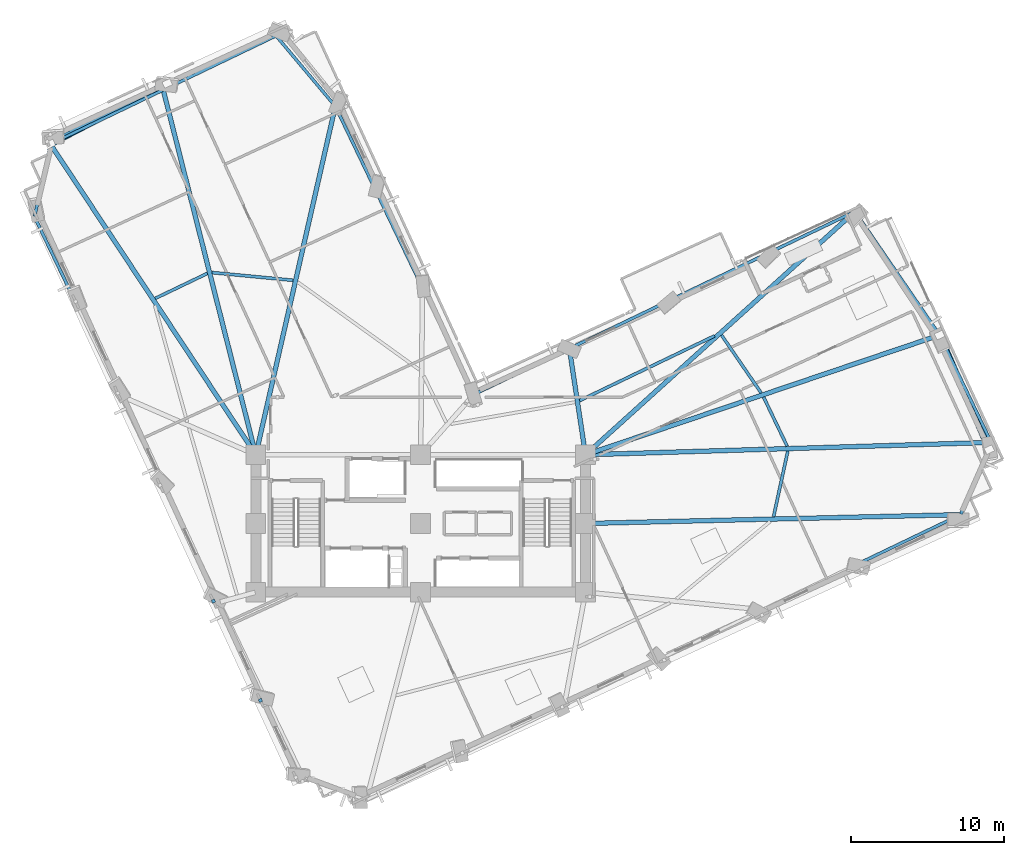
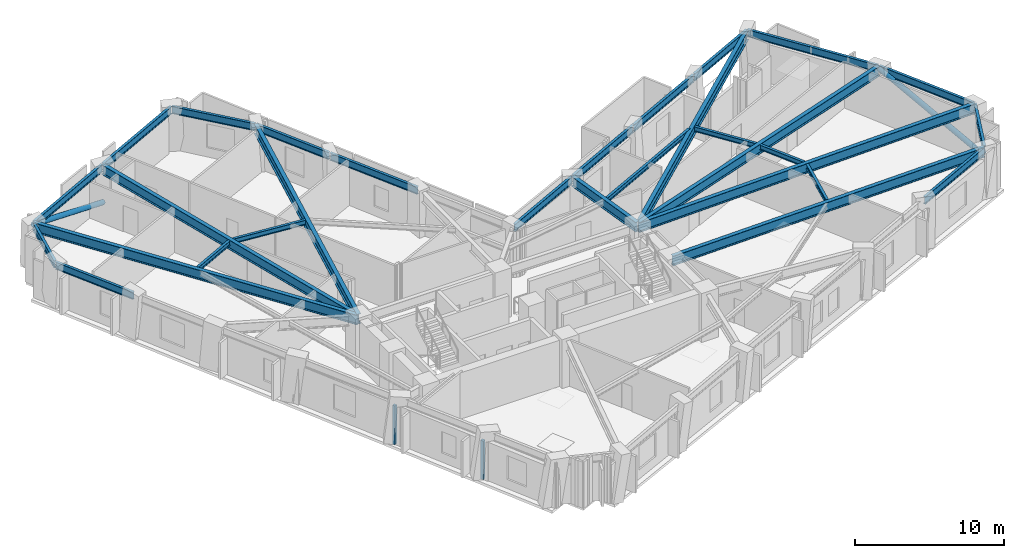
# One storey, part 2 of 16: 29 beams, 2 members, 2 plates.
"""IFC4 building model written with IfcOpenShell, lengths in metres."""

import ifcopenshell
import ifcopenshell.guid

model = None  # the IFC model being written
_history = None  # IfcOwnerHistory: only IFC2X3 demands one
_inside = {}  # id of a spatial element -> (the spatial element, [elements in it])
_under = {}  # id of a project, library or spatial element -> (it, [spatial elements below it])
_declared = {}  # id of a project -> (the project, [libraries it declares])
_typed = {}  # id of a type object -> (the type object, [elements of that type])
_made_of = {}  # id of a material, layer set ... -> (it, [elements and type objects made of it])


def new_model(schema):
    """Start an empty IFC model of exactly this schema.

    Asked for "IFC4X3", IfcOpenShell would pick the latest addendum, in which some entities
    have other attributes; the version numbers below select the first issue.
    IFC2X3 requires an IfcOwnerHistory on every rooted entity: one is made here for all.
    """
    global model, _history
    if schema == "IFC4X3":
        model = ifcopenshell.file(schema_version=(4, 3, 0, 0))
    else:
        model = ifcopenshell.file(schema=schema)
    _inside.clear()
    _under.clear()
    _declared.clear()
    _typed.clear()
    _made_of.clear()
    _history = None
    if model.schema == "IFC2X3":
        org = make("IfcOrganization", Name="unknown")
        user = make(
            "IfcPersonAndOrganization",
            ThePerson=make("IfcPerson", FamilyName="unknown"),
            TheOrganization=org,
        )
        app = make(
            "IfcApplication",
            ApplicationDeveloper=org,
            Version="unknown",
            ApplicationFullName="unknown",
            ApplicationIdentifier="unknown",
        )
        _history = make(
            "IfcOwnerHistory",
            OwningUser=user,
            OwningApplication=app,
            ChangeAction="ADDED",
            CreationDate=0,
        )
    return model


def make(cls, **values):
    """One entity of the class cls with the attributes given. An attribute that is None is left unset."""
    return model.create_entity(
        cls, **{name: value for name, value in values.items() if value is not None}
    )


def rooted(cls, **values):
    """An entity with a GlobalId (a new one), such as an element, a storey or a relation."""
    return make(cls, GlobalId=ifcopenshell.guid.new(), OwnerHistory=_history, **values)


def si_unit(unit_type, name, prefix=None):
    """IfcSIUnit, for example si_unit("LENGTHUNIT", "METRE", prefix="MILLI")."""
    return make("IfcSIUnit", UnitType=unit_type, Prefix=prefix, Name=name)


def assignment(units):
    """IfcUnitAssignment: the units of a project."""
    return None if units is None else make("IfcUnitAssignment", Units=units)


def point(xyz):
    """IfcCartesianPoint."""
    return None if xyz is None else make("IfcCartesianPoint", Coordinates=xyz)


def direction(xyz):
    """IfcDirection."""
    return None if xyz is None else make("IfcDirection", DirectionRatios=xyz)


def frame(location, z_axis=None, x_axis=None):
    """IfcAxis2Placement3D, a coordinate frame: its origin and axes. An axis left out is left unset."""
    return make(
        "IfcAxis2Placement3D",
        Location=point(location),
        Axis=direction(z_axis),
        RefDirection=direction(x_axis),
    )


def frame_2d(location, x_axis=None):
    """IfcAxis2Placement2D, a coordinate frame in the plane: its origin and x axis."""
    return make(
        "IfcAxis2Placement2D", Location=point(location), RefDirection=direction(x_axis)
    )


def origin():
    """The frame at (0, 0, 0) with its axes left unset."""
    return frame((0.0, 0.0, 0.0))


def origin_2d():
    """The frame at (0, 0) in the plane with its x axis left unset."""
    return frame_2d((0.0, 0.0))


def place(relative_to, where):
    """IfcLocalPlacement: puts the frame where relative to a parent placement (None: the world)."""
    return make(
        "IfcLocalPlacement", PlacementRelTo=relative_to, RelativePlacement=where
    )


def context(
    kind, dimensions, precision=None, world=None, true_north=None, identifier=None
):
    """IfcGeometricRepresentationContext, for example the 3D "Model" context."""
    return make(
        "IfcGeometricRepresentationContext",
        ContextIdentifier=identifier,
        ContextType=kind,
        CoordinateSpaceDimension=dimensions,
        Precision=precision,
        WorldCoordinateSystem=world,
        TrueNorth=true_north,
    )


def subcontext(parent, identifier, kind, view, scale=None):
    """IfcGeometricRepresentationSubContext, for example "Body" below "Model"."""
    return make(
        "IfcGeometricRepresentationSubContext",
        ContextIdentifier=identifier,
        ContextType=kind,
        ParentContext=parent,
        TargetScale=scale,
        TargetView=view,
    )


def project(units=None, contexts=None):
    """IfcProject with its units and contexts."""
    return rooted(
        "IfcProject",
        Name="project",
        RepresentationContexts=contexts,
        UnitsInContext=assignment(units),
    )


def spatial(cls, under=None, at=None, **own):
    """A site, building, storey or space (cls), placed at a placement, below another one or the project."""
    s = rooted(cls, ObjectPlacement=at, **own)
    if under is not None:
        _under.setdefault(under.id(), (under, []))[1].append(s)
    return s


def profile(cls, at=None, kind="AREA", **sizes):
    """A parametric profile (cls). Its sizes go by their IFC names, for example OverallWidth=200.0."""
    return make(cls, ProfileType=kind, Position=at, **sizes)


def rectangle(**sizes):
    """IfcRectangleProfileDef."""
    return profile("IfcRectangleProfileDef", **sizes)


def hollow_circle(**sizes):
    """IfcCircleHollowProfileDef."""
    return profile("IfcCircleHollowProfileDef", **sizes)


def i_section(**sizes):
    """IfcIShapeProfileDef."""
    return profile("IfcIShapeProfileDef", **sizes)


def extrude(swept, where, along, depth):
    """IfcExtrudedAreaSolid: the profile swept, set in the frame where, extruded along a direction by depth."""
    return make(
        "IfcExtrudedAreaSolid",
        SweptArea=swept,
        Position=where,
        ExtrudedDirection=direction(along),
        Depth=depth,
    )


def shape(context_of_items, identifier, shape_type, items):
    """IfcShapeRepresentation: the items that make up one representation, for example the "Body"."""
    return make(
        "IfcShapeRepresentation",
        ContextOfItems=context_of_items,
        RepresentationIdentifier=identifier,
        RepresentationType=shape_type,
        Items=items,
    )


def material(Name=None, Category=None):
    """IfcMaterial."""
    return make("IfcMaterial", Name=Name, Category=Category)


def layer(
    of_material, thickness, ventilated=None, Name=None, Category=None, Priority=None
):
    """IfcMaterialLayer: one layer of a wall or slab, of a material (None: an air gap)."""
    return make(
        "IfcMaterialLayer",
        Material=of_material,
        LayerThickness=thickness,
        IsVentilated=ventilated,
        Name=Name,
        Category=Category,
        Priority=Priority,
    )


def layer_set(layers, Name=None):
    """IfcMaterialLayerSet."""
    return make("IfcMaterialLayerSet", MaterialLayers=layers, LayerSetName=Name)


def material_profile(
    of_material, cross_section, Name=None, Category=None, Priority=None
):
    """IfcMaterialProfile: a cross section and its material."""
    return make(
        "IfcMaterialProfile",
        Name=Name,
        Material=of_material,
        Profile=cross_section,
        Priority=Priority,
        Category=Category,
    )


def profile_set(profiles, Name=None, composite=None):
    """IfcMaterialProfileSet."""
    return make(
        "IfcMaterialProfileSet",
        Name=Name,
        MaterialProfiles=profiles,
        CompositeProfile=composite,
    )


def made_of(thing, what):
    """Note that an element or type object is made of a material, layer set ...; save() writes the relation."""
    if what is not None:
        _made_of.setdefault(what.id(), (what, []))[1].append(thing)
    return thing


def type_object(cls, material=None, **own):
    """A type object (cls), such as IfcWallType, which elements share."""
    return made_of(rooted(cls, **own), material)


def element(
    cls,
    number,
    at=None,
    inside=None,
    cuts=None,
    type_object=None,
    material=None,
    context=None,
    identifier="Body",
    shape_type=None,
    held_by="IfcProductDefinitionShape",
    body=None,
    shapes=None,
    **own,
):
    """One element of the class cls, such as IfcWall. Its Tag is "e" and its number.

    at: its placement. inside: the storey or other place that contains it. cuts: it is an
    opening in that element (IfcRelVoidsElement). A single representation is given by context,
    identifier, shape_type and body (its items); several are given by shapes. held_by: the class
    of the entity that holds the representations. save() writes the other relations.
    """
    e = rooted(cls, Tag="e%d" % number, ObjectPlacement=at, **own)
    if body is not None:
        shapes = [shape(context, identifier, shape_type, body)]
    if shapes is not None:
        e.Representation = make(held_by, Representations=shapes)
    if inside is not None:
        _inside.setdefault(inside.id(), (inside, []))[1].append(e)
    if cuts is not None:
        rooted(
            "IfcRelVoidsElement", RelatingBuildingElement=cuts, RelatedOpeningElement=e
        )
    if type_object is not None:
        _typed.setdefault(type_object.id(), (type_object, []))[1].append(e)
    return made_of(e, material)


def aggregate(whole, parts):
    """IfcRelAggregates: a whole, such as a stair, and the parts it consists of."""
    return rooted("IfcRelAggregates", RelatingObject=whole, RelatedObjects=parts)


def save(model, path):
    """Write the relations noted so far, then the file.

    IfcRelAggregates (storeys below a building ...), IfcRelContainedInSpatialStructure (elements
    in a storey), IfcRelDefinesByType, IfcRelAssociatesMaterial and IfcRelDeclares: one each for
    every whole, place, type object, material and project.
    """
    for whole, parts in _under.values():
        aggregate(whole, parts)
    for where, things in _inside.values():
        rooted(
            "IfcRelContainedInSpatialStructure",
            RelatedElements=things,
            RelatingStructure=where,
        )
    for kind, things in _typed.values():
        rooted("IfcRelDefinesByType", RelatedObjects=things, RelatingType=kind)
    for what, things in _made_of.values():
        rooted("IfcRelAssociatesMaterial", RelatedObjects=things, RelatingMaterial=what)
    for by, libraries in _declared.values():
        rooted("IfcRelDeclares", RelatingContext=by, RelatedDefinitions=libraries)
    model.write(path)


model = new_model("IFC4")

# Units and contexts
model_context = context("Model", 3, precision=1e-05, world=origin(), true_north=direction((0.0, 1.0)))
body_context = subcontext(model_context, "Body", "Model", "MODEL_VIEW")
ifc_project = project(units=[si_unit("LENGTHUNIT", "METRE"), si_unit("AREAUNIT", "SQUARE_METRE"), si_unit("VOLUMEUNIT", "CUBIC_METRE"), si_unit("PLANEANGLEUNIT", "RADIAN"), si_unit("MASSUNIT", "GRAM", prefix="KILO")], contexts=[model_context])

# Site, building, storey
site_placement = place(None, origin())
site = spatial("IfcSite", under=ifc_project, at=site_placement, CompositionType="ELEMENT")
building_placement = place(site_placement, origin())
building = spatial("IfcBuilding", under=site, at=building_placement, Name="Gaonmaruhae Medical Tower", CompositionType="ELEMENT")
storey_placement = place(building_placement, frame((0.0, 0.0, 128.39990234375)))
storey = spatial("IfcBuildingStorey", under=building, at=storey_placement, Name="L30", CompositionType="ELEMENT", Elevation=128.39990234375)

# Beams
ifc_material_1 = material(Name="Steel SM355", Category="steel")
ifc_material_profile_1 = material_profile(ifc_material_1, i_section(OverallWidth=0.199951171875, OverallDepth=0.39990234375, WebThickness=0.008056640625, FlangeThickness=0.012939453125, FilletRadius=0.012939453125, at=origin_2d()), Name="H-400x200x8x13")
ifc_profile_set_1 = profile_set([ifc_material_profile_1], Name="Steel SM355")
beam_type_1 = type_object("IfcBeamType", Name="FJ-01 Lower Zone Ward Floor Joist (H-400x200x8x13)", PredefinedType="JOIST", material=ifc_profile_set_1)
beam_1_placement = place(storey_placement, frame((47.92333984375, 12.7470703125, 3.580078125), z_axis=(0.211600590083, 0.977356224862, 0.0), x_axis=(-0.977356224862, 0.211600590083, 0.0)))
element("IfcBeam", 1, at=beam_1_placement, inside=storey, type_object=beam_type_1, Name="L30 Secondary Floor Joist FJ04", PredefinedType="JOIST", context=body_context, shape_type="SweptSolid", body=[
    extrude(i_section(OverallWidth=0.199951171875, OverallDepth=0.39990234375, WebThickness=0.008056640625, FlangeThickness=0.012939453125, FilletRadius=0.012939453125, at=origin_2d()), origin(), (0.0, 0.0, 1.0), 4.401611328125),
])
beam_2_placement = place(storey_placement, frame((48.815185546875, 17.359375, 3.580078125), z_axis=(-0.432888786397, 0.901447335462, 0.0), x_axis=(-0.901447335462, -0.432888786397, 0.0)))
element("IfcBeam", 2, at=beam_2_placement, inside=storey, type_object=beam_type_1, Name="L30 Secondary Floor Joist FJ05", PredefinedType="JOIST", context=body_context, shape_type="SweptSolid", body=[
    extrude(i_section(OverallWidth=0.199951171875, OverallDepth=0.39990234375, WebThickness=0.008056640625, FlangeThickness=0.012939453125, FilletRadius=0.012939453125, at=origin_2d()), origin(), (0.0, 0.0, 1.0), 3.57275390625),
])
beam_3_placement = place(storey_placement, frame((47.109130859375, 20.855224609375, 3.580078125), z_axis=(-0.565580053799, 0.824693399237, 0.0), x_axis=(-0.824693399237, -0.565580053799, 0.0)))
element("IfcBeam", 3, at=beam_3_placement, inside=storey, type_object=beam_type_1, Name="L30 Secondary Floor Joist FJ06", PredefinedType="JOIST", context=body_context, shape_type="SweptSolid", body=[
    extrude(i_section(OverallWidth=0.199951171875, OverallDepth=0.39990234375, WebThickness=0.008056640625, FlangeThickness=0.012939453125, FilletRadius=0.012939453125, at=origin_2d()), origin(), (0.0, 0.0, 1.0), 4.588623046875),
])
beam_4_placement = place(storey_placement, frame((44.06396484375, 24.595703125, 3.580078125), z_axis=(-0.901459368074, -0.432863728801, 0.0), x_axis=(0.432863728801, -0.901459368074, 0.0)))
element("IfcBeam", 4, at=beam_4_placement, inside=storey, type_object=beam_type_1, Name="L30 Secondary Floor Joist FJ07", PredefinedType="JOIST", context=body_context, shape_type="SweptSolid", body=[
    extrude(i_section(OverallWidth=0.199951171875, OverallDepth=0.39990234375, WebThickness=0.008056640625, FlangeThickness=0.012939453125, FilletRadius=0.012939453125, at=origin_2d()), origin(), (0.0, 0.0, 1.0), 9.8115234375),
])
beam_5_placement = place(storey_placement, frame((16.448974609375, 28.2314453125, 3.580078125), z_axis=(-0.995487662806, 0.094891059644, 0.0), x_axis=(-0.094891059644, -0.995487662806, 0.0)))
element("IfcBeam", 5, at=beam_5_placement, inside=storey, type_object=beam_type_1, Name="L30 Secondary Floor Joist FJ11", PredefinedType="JOIST", context=body_context, shape_type="SweptSolid", body=[
    extrude(i_section(OverallWidth=0.199951171875, OverallDepth=0.39990234375, WebThickness=0.008056640625, FlangeThickness=0.012939453125, FilletRadius=0.012939453125, at=origin_2d()), origin(), (0.0, 0.0, 1.0), 5.34130859375),
])
beam_6_placement = place(storey_placement, frame((10.823974609375, 28.68505859375, 3.580078125), z_axis=(-0.901462631915, -0.432856931631, 0.0), x_axis=(0.432856931631, -0.901462631915, 0.0)))
element("IfcBeam", 6, at=beam_6_placement, inside=storey, type_object=beam_type_1, Name="L30 Secondary Floor Joist FJ12", PredefinedType="JOIST", context=body_context, shape_type="SweptSolid", body=[
    extrude(i_section(OverallWidth=0.199951171875, OverallDepth=0.39990234375, WebThickness=0.008056640625, FlangeThickness=0.012939453125, FilletRadius=0.012939453125, at=origin_2d()), origin(), (0.0, 0.0, 1.0), 3.783447265625),
])

# Members
ifc_material_2 = material(Name="Steel SM420", Category="steel")
ifc_material_profile_2 = material_profile(ifc_material_2, hollow_circle(Radius=0.203125, WallThickness=0.0126953125, at=origin_2d()), Name="CHS-406.4x12.7")
ifc_profile_set_2 = profile_set([ifc_material_profile_2], Name="Steel SM420")
member_type = type_object("IfcMemberType", Name="PB-02 Perimeter Solid-Bay Tube Brace Mid (CHS-406.4x12.7)", PredefinedType="BRACE", material=ifc_profile_set_2)
member_1_placement = place(storey_placement, frame((62.054443359375, 17.139404296875, 0.25), z_axis=(-0.369169097135, 0.851568520724, 0.372216646905), x_axis=(-0.917494267261, -0.397749003196, 0.0)))
element("IfcMember", 7, at=member_1_placement, inside=storey, type_object=member_type, Name="L30 Perimeter Tube Solid-Bay Brace E01-E02", PredefinedType="BRACE", context=body_context, shape_type="SweptSolid", body=[
    extrude(hollow_circle(Radius=0.203125, WallThickness=0.0126953125, at=origin_2d()), origin(), (0.0, 0.0, 1.0), 8.812255859375),
])
member_2_placement = place(storey_placement, frame((8.201904296875, 41.131103515625, 0.25), z_axis=(-0.829751951847, -0.430401425233, 0.355339712899), x_axis=(0.460451784303, -0.887684715612, 0.0)))
element("IfcMember", 8, at=member_2_placement, inside=storey, type_object=member_type, Name="L30 Perimeter Tube Solid-Bay Brace N02-N03", PredefinedType="BRACE", context=body_context, shape_type="SweptSolid", body=[
    extrude(hollow_circle(Radius=0.203125, WallThickness=0.0126953125, at=origin_2d()), origin(), (0.0, 0.0, 1.0), 9.230712890625),
])

# Beams
ifc_material_profile_3 = material_profile(ifc_material_2, i_section(OverallWidth=0.300048828125, OverallDepth=0.800048828125, WebThickness=0.013916015625, FlangeThickness=0.02587890625, FilletRadius=0.01806640625, at=origin_2d()), Name="H-800x300x14x26")
ifc_profile_set_3 = profile_set([ifc_material_profile_3], Name="Steel SM420")
beam_type_2 = type_object("IfcBeamType", Name="PG-02 Zone 2 Radial Floor Girder (H-800x300x14x26)", PredefinedType="BEAM", material=ifc_profile_set_3)
beam_7_placement = place(storey_placement, frame((35.64990234375, 12.30126953125, 3.380126953125), z_axis=(0.999721231056, 0.02361059457, 0.0), x_axis=(-0.02361059457, 0.999721231056, 0.0)))
element("IfcBeam", 9, at=beam_7_placement, inside=storey, type_object=beam_type_2, Name="L30 Radial Primary Girder S07", PredefinedType="BEAM", context=body_context, shape_type="SweptSolid", body=[
    extrude(i_section(OverallWidth=0.300048828125, OverallDepth=0.800048828125, WebThickness=0.013916015625, FlangeThickness=0.02587890625, FilletRadius=0.01806640625, at=origin_2d()), origin(), (0.0, 0.0, 1.0), 24.48583984375),
])
beam_8_placement = place(storey_placement, frame((35.64990234375, 16.801513671875, 3.380126953125), z_axis=(0.999533461093, 0.030542759445, 0.0), x_axis=(-0.030542759445, 0.999533461093, 0.0)))
element("IfcBeam", 10, at=beam_8_placement, inside=storey, type_object=beam_type_2, Name="L30 Radial Primary Girder E01", PredefinedType="BEAM", context=body_context, shape_type="SweptSolid", body=[
    extrude(i_section(OverallWidth=0.300048828125, OverallDepth=0.800048828125, WebThickness=0.013916015625, FlangeThickness=0.02587890625, FilletRadius=0.01806640625, at=origin_2d()), origin(), (0.0, 0.0, 1.0), 26.490234375),
])
beam_9_placement = place(storey_placement, frame((35.6474609375, 16.81591796875, 3.380126953125), z_axis=(0.947329450624, 0.32026069378, 0.0), x_axis=(-0.32026069378, 0.947329450624, 0.0)))
element("IfcBeam", 11, at=beam_9_placement, inside=storey, type_object=beam_type_2, Name="L30 Radial Primary Girder E02", PredefinedType="BEAM", context=body_context, shape_type="SweptSolid", body=[
    extrude(i_section(OverallWidth=0.300048828125, OverallDepth=0.800048828125, WebThickness=0.013916015625, FlangeThickness=0.02587890625, FilletRadius=0.01806640625, at=origin_2d()), origin(), (0.0, 0.0, 1.0), 24.39111328125),
])
beam_10_placement = place(storey_placement, frame((35.63720703125, 16.83349609375, 3.360107421875), z_axis=(0.742180220788, 0.670200358006, 0.0), x_axis=(-0.670200358006, 0.742180220788, 0.0)))
element("IfcBeam", 12, at=beam_10_placement, inside=storey, type_object=beam_type_2, Name="L30 Radial Primary Girder E03", PredefinedType="BEAM", context=body_context, shape_type="SweptSolid", body=[
    extrude(i_section(OverallWidth=0.300048828125, OverallDepth=0.800048828125, WebThickness=0.013916015625, FlangeThickness=0.02587890625, FilletRadius=0.01806640625, at=origin_2d()), origin(), (0.0, 0.0, 1.0), 23.681396484375),
])
beam_11_placement = place(storey_placement, frame((35.592529296875, 16.849365234375, 3.380126953125), z_axis=(-0.149951359218, 0.98869337505, 0.0), x_axis=(-0.98869337505, -0.149951359218, 0.0)))
element("IfcBeam", 13, at=beam_11_placement, inside=storey, type_object=beam_type_2, Name="L30 Radial Primary Girder EN03", PredefinedType="BEAM", context=body_context, shape_type="SweptSolid", body=[
    extrude(i_section(OverallWidth=0.300048828125, OverallDepth=0.800048828125, WebThickness=0.013916015625, FlangeThickness=0.02587890625, FilletRadius=0.01806640625, at=origin_2d()), origin(), (0.0, 0.0, 1.0), 6.935791015625),
])
beam_12_placement = place(storey_placement, frame((14.01123046875, 16.8486328125, 3.380126953125), z_axis=(0.222497034593, 0.974933366747, 0.0), x_axis=(-0.974933366747, 0.222497034593, 0.0)))
element("IfcBeam", 14, at=beam_12_placement, inside=storey, type_object=beam_type_2, Name="L30 Radial Primary Girder NE03", PredefinedType="BEAM", context=body_context, shape_type="SweptSolid", body=[
    extrude(i_section(OverallWidth=0.300048828125, OverallDepth=0.800048828125, WebThickness=0.013916015625, FlangeThickness=0.02587890625, FilletRadius=0.01806640625, at=origin_2d()), origin(), (0.0, 0.0, 1.0), 23.3203125),
])
beam_13_placement = place(storey_placement, frame((13.98779296875, 16.848388671875, 3.380126953125), z_axis=(-0.245906205747, 0.969293628358, 0.0), x_axis=(-0.969293628358, -0.245906205747, 0.0)))
element("IfcBeam", 15, at=beam_13_placement, inside=storey, type_object=beam_type_2, Name="L30 Radial Primary Girder N02", PredefinedType="BEAM", context=body_context, shape_type="SweptSolid", body=[
    extrude(i_section(OverallWidth=0.300048828125, OverallDepth=0.800048828125, WebThickness=0.013916015625, FlangeThickness=0.02587890625, FilletRadius=0.01806640625, at=origin_2d()), origin(), (0.0, 0.0, 1.0), 24.5654296875),
])
beam_14_placement = place(storey_placement, frame((13.972412109375, 16.841796875, 3.380126953125), z_axis=(-0.551434317101, 0.834218313107, 0.0), x_axis=(-0.834218313107, -0.551434317101, 0.0)))
element("IfcBeam", 16, at=beam_14_placement, inside=storey, type_object=beam_type_2, Name="L30 Radial Primary Girder N03", PredefinedType="BEAM", context=body_context, shape_type="SweptSolid", body=[
    extrude(i_section(OverallWidth=0.300048828125, OverallDepth=0.800048828125, WebThickness=0.013916015625, FlangeThickness=0.02587890625, FilletRadius=0.01806640625, at=origin_2d()), origin(), (0.0, 0.0, 1.0), 24.303955078125),
])
ifc_material_profile_4 = material_profile(ifc_material_1, i_section(OverallWidth=0.199951171875, OverallDepth=0.60009765625, WebThickness=0.010986328125, FlangeThickness=0.01708984375, FilletRadius=0.012939453125, at=origin_2d()), Name="H-600x200x11x17")
ifc_profile_set_4 = profile_set([ifc_material_profile_4], Name="Steel SM355")
beam_type_3 = type_object("IfcBeamType", Name="SP-01 Lower Perimeter Spandrel Beam (H-600x200x11x17)", PredefinedType="SPANDREL", material=ifc_profile_set_4)
beam_15_placement = place(storey_placement, frame((53.724365234375, 9.78125, 3.47998046875), z_axis=(0.9014588392, 0.432864830204, 0.0), x_axis=(-0.432864830204, 0.9014588392, 0.0)))
element("IfcBeam", 17, at=beam_15_placement, inside=storey, type_object=beam_type_3, Name="L30 Perimeter Spandrel Beam S06-S07", PredefinedType="SPANDREL", context=body_context, shape_type="SweptSolid", body=[
    extrude(i_section(OverallWidth=0.199951171875, OverallDepth=0.60009765625, WebThickness=0.010986328125, FlangeThickness=0.01708984375, FilletRadius=0.012939453125, at=origin_2d()), origin(), (0.0, 0.0, 1.0), 7.1201171875),
])
beam_16_placement = place(storey_placement, frame((60.1943359375, 12.91748046875, 3.47998046875), z_axis=(0.389170547655, 0.921165720616, 0.0), x_axis=(-0.921165720616, 0.389170547655, 0.0)))
element("IfcBeam", 18, at=beam_16_placement, inside=storey, type_object=beam_type_3, Name="L30 Perimeter Spandrel Beam S07-E01", PredefinedType="SPANDREL", context=body_context, shape_type="SweptSolid", body=[
    extrude(i_section(OverallWidth=0.199951171875, OverallDepth=0.60009765625, WebThickness=0.010986328125, FlangeThickness=0.01708984375, FilletRadius=0.012939453125, at=origin_2d()), origin(), (0.0, 0.0, 1.0), 5.056396484375),
])
beam_17_placement = place(storey_placement, frame((62.160400390625, 17.648193359375, 3.47998046875), z_axis=(-0.432874996339, 0.901453957529, 0.0), x_axis=(-0.901453957529, -0.432874996339, 0.0)))
element("IfcBeam", 19, at=beam_17_placement, inside=storey, type_object=beam_type_3, Name="L30 Perimeter Spandrel Beam E01-E02", PredefinedType="SPANDREL", context=body_context, shape_type="SweptSolid", body=[
    extrude(i_section(OverallWidth=0.199951171875, OverallDepth=0.60009765625, WebThickness=0.010986328125, FlangeThickness=0.01708984375, FilletRadius=0.012939453125, at=origin_2d()), origin(), (0.0, 0.0, 1.0), 7.719970703125),
])
beam_18_placement = place(storey_placement, frame((58.778564453125, 24.676513671875, 3.47998046875), z_axis=(-0.565555647071, 0.824710136997, 0.0), x_axis=(-0.824710136997, -0.565555647071, 0.0)))
element("IfcBeam", 20, at=beam_18_placement, inside=storey, type_object=beam_type_3, Name="L30 Perimeter Spandrel Beam E02-E03", PredefinedType="SPANDREL", context=body_context, shape_type="SweptSolid", body=[
    extrude(i_section(OverallWidth=0.199951171875, OverallDepth=0.60009765625, WebThickness=0.010986328125, FlangeThickness=0.01708984375, FilletRadius=0.012939453125, at=origin_2d()), origin(), (0.0, 0.0, 1.0), 9.7353515625),
])
beam_19_placement = place(storey_placement, frame((53.214111328125, 32.720947265625, 3.460205078125), z_axis=(-0.901454385559, -0.432874104974, 0.0), x_axis=(0.432874104974, -0.901454385559, 0.0)))
element("IfcBeam", 21, at=beam_19_placement, inside=storey, type_object=beam_type_3, Name="L30 Perimeter Spandrel Beam E03-EN01", PredefinedType="SPANDREL", context=body_context, shape_type="SweptSolid", body=[
    extrude(i_section(OverallWidth=0.199951171875, OverallDepth=0.60009765625, WebThickness=0.010986328125, FlangeThickness=0.01708984375, FilletRadius=0.012939453125, at=origin_2d()), origin(), (0.0, 0.0, 1.0), 6.27001953125),
])
for number, where, z_axis, x_axis, name in (
    (22, (47.48974609375, 29.97216796875, 3.460205078125), (-0.901452414098, -0.43287821049, 0.0), (0.43287821049, -0.901452414098, 0.0), "L30 Perimeter Spandrel Beam EN01-EN02"),
    (23, (40.999267578125, 26.85546875, 3.47998046875), (-0.901452414098, -0.43287821049, 0.0), (0.43287821049, -0.901452414098, 0.0), "L30 Perimeter Spandrel Beam EN02-EN03"),
):
    element("IfcBeam", number, at=place(storey_placement, frame(where, z_axis=z_axis, x_axis=x_axis)), inside=storey, type_object=beam_type_3, Name=name, PredefinedType="SPANDREL", context=body_context, shape_type="SweptSolid", body=[
        extrude(i_section(OverallWidth=0.199951171875, OverallDepth=0.60009765625, WebThickness=0.010986328125, FlangeThickness=0.01708984375, FilletRadius=0.012939453125, at=origin_2d()), origin(), (0.0, 0.0, 1.0), 7.119873046875),
    ])
beam_20_placement = place(storey_placement, frame((34.5087890625, 23.73876953125, 3.47998046875), z_axis=(-0.901463156028, -0.432855840118, 0.0), x_axis=(0.432855840118, -0.901463156028, 0.0)))
element("IfcBeam", 24, at=beam_20_placement, inside=storey, type_object=beam_type_3, Name="L30 Perimeter Spandrel Beam EN03-KN01", PredefinedType="SPANDREL", context=body_context, shape_type="SweptSolid", body=[
    extrude(i_section(OverallWidth=0.199951171875, OverallDepth=0.60009765625, WebThickness=0.010986328125, FlangeThickness=0.01708984375, FilletRadius=0.012939453125, at=origin_2d()), origin(), (0.0, 0.0, 1.0), 6.869873046875),
])
beam_21_placement = place(storey_placement, frame((24.90771484375, 27.77001953125, 3.47998046875), z_axis=(-0.432864830204, 0.9014588392, 0.0), x_axis=(-0.9014588392, -0.432864830204, 0.0)))
element("IfcBeam", 25, at=beam_21_placement, inside=storey, type_object=beam_type_3, Name="L30 Perimeter Spandrel Beam NE01-NE02", PredefinedType="SPANDREL", context=body_context, shape_type="SweptSolid", body=[
    extrude(i_section(OverallWidth=0.199951171875, OverallDepth=0.60009765625, WebThickness=0.010986328125, FlangeThickness=0.01708984375, FilletRadius=0.012939453125, at=origin_2d()), origin(), (0.0, 0.0, 1.0), 7.1201171875),
])
beam_22_placement = place(storey_placement, frame((21.791015625, 34.260498046875, 3.47998046875), z_axis=(-0.432854407958, 0.901463843707, 0.0), x_axis=(-0.901463843707, -0.432854407958, 0.0)))
element("IfcBeam", 26, at=beam_22_placement, inside=storey, type_object=beam_type_3, Name="L30 Perimeter Spandrel Beam NE02-NE03", PredefinedType="SPANDREL", context=body_context, shape_type="SweptSolid", body=[
    extrude(i_section(OverallWidth=0.199951171875, OverallDepth=0.60009765625, WebThickness=0.010986328125, FlangeThickness=0.01708984375, FilletRadius=0.012939453125, at=origin_2d()), origin(), (0.0, 0.0, 1.0), 5.919921875),
])
beam_23_placement = place(storey_placement, frame((19.185546875, 39.663818359375, 3.47998046875), z_axis=(-0.643225712711, 0.765676617449, 0.0), x_axis=(-0.765676617449, -0.643225712711, 0.0)))
element("IfcBeam", 27, at=beam_23_placement, inside=storey, type_object=beam_type_3, Name="L30 Perimeter Spandrel Beam NE03-N01", PredefinedType="SPANDREL", context=body_context, shape_type="SweptSolid", body=[
    extrude(i_section(OverallWidth=0.199951171875, OverallDepth=0.60009765625, WebThickness=0.010986328125, FlangeThickness=0.01708984375, FilletRadius=0.012939453125, at=origin_2d()), origin(), (0.0, 0.0, 1.0), 5.95947265625),
])
for number, where, z_axis, x_axis, name in (
    (28, (15.29052734375, 44.239990234375, 3.47998046875), (-0.901456892587, -0.432868884083, 0.0), (0.432868884083, -0.901456892587, 0.0), "L30 Perimeter Spandrel Beam N01-N02"),
    (29, (7.898681640625, 40.6904296875, 3.47998046875), (-0.901456892587, -0.432868884083, 0.0), (0.432868884083, -0.901456892587, 0.0), "L30 Perimeter Spandrel Beam N02-N03"),
):
    element("IfcBeam", number, at=place(storey_placement, frame(where, z_axis=z_axis, x_axis=x_axis)), inside=storey, type_object=beam_type_3, Name=name, PredefinedType="SPANDREL", context=body_context, shape_type="SweptSolid", body=[
        extrude(i_section(OverallWidth=0.199951171875, OverallDepth=0.60009765625, WebThickness=0.010986328125, FlangeThickness=0.01708984375, FilletRadius=0.012939453125, at=origin_2d()), origin(), (0.0, 0.0, 1.0), 8.119873046875),
    ])
beam_24_placement = place(storey_placement, frame((0.534423828125, 37.119140625, 3.47998046875), z_axis=(-0.212674548241, -0.977123091801, 0.0), x_axis=(0.977123091801, -0.212674548241, 0.0)))
element("IfcBeam", 30, at=beam_24_placement, inside=storey, type_object=beam_type_3, Name="L30 Perimeter Spandrel Beam N03-W01", PredefinedType="SPANDREL", context=body_context, shape_type="SweptSolid", body=[
    extrude(i_section(OverallWidth=0.199951171875, OverallDepth=0.60009765625, WebThickness=0.010986328125, FlangeThickness=0.01708984375, FilletRadius=0.012939453125, at=origin_2d()), origin(), (0.0, 0.0, 1.0), 4.80078125),
])
beam_25_placement = place(storey_placement, frame((-0.477783203125, 32.35302734375, 3.47998046875), z_axis=(0.432879249326, -0.901451915247, 0.0), x_axis=(0.901451915247, 0.432879249326, 0.0)))
element("IfcBeam", 31, at=beam_25_placement, inside=storey, type_object=beam_type_3, Name="L30 Perimeter Spandrel Beam W01-W02", PredefinedType="SPANDREL", context=body_context, shape_type="SweptSolid", body=[
    extrude(i_section(OverallWidth=0.199951171875, OverallDepth=0.60009765625, WebThickness=0.010986328125, FlangeThickness=0.01708984375, FilletRadius=0.012939453125, at=origin_2d()), origin(), (0.0, 0.0, 1.0), 6.320068359375),
])

# Plates
ifc_material_3 = material(Name="Anodised aluminium 6063-T6", Category="aluminium")
ifc_layer = layer(ifc_material_3, 0.011962890625)
ifc_layer_set = layer_set([ifc_layer], Name="Anodised aluminium 6063-T6")
plate_type = type_object("IfcPlateType", Name="PP-01 Interior Partition Corner Stiffener Plate", PredefinedType="SHEET", material=ifc_layer_set)
for number, where, z_axis, x_axis, name in (
    (32, (14.302978515625, 0.70556640625, 0.0), (0.0, 0.0, 1.0), (-0.418406119801, 0.908260050268, 0.0), "L30 Partition Corner Stiffener Plate PLT-L30-JGP-PW011"),
    (33, (11.221923828125, 7.212890625, 0.0), (0.0, 0.0, 1.0), (-0.417771932756, 0.908551931483, 0.0), "L30 Partition Corner Stiffener Plate PLT-L30-JGP-PW042"),
):
    element("IfcPlate", number, at=place(storey_placement, frame(where, z_axis=z_axis, x_axis=x_axis)), inside=storey, type_object=plate_type, Name=name, PredefinedType="SHEET", context=body_context, shape_type="SweptSolid", body=[
        extrude(rectangle(XDim=0.219970703125, YDim=0.219970703125, at=origin_2d()), origin(), (0.0, 0.0, 1.0), 3.1650390625),
    ])

save(model, "model.ifc")
